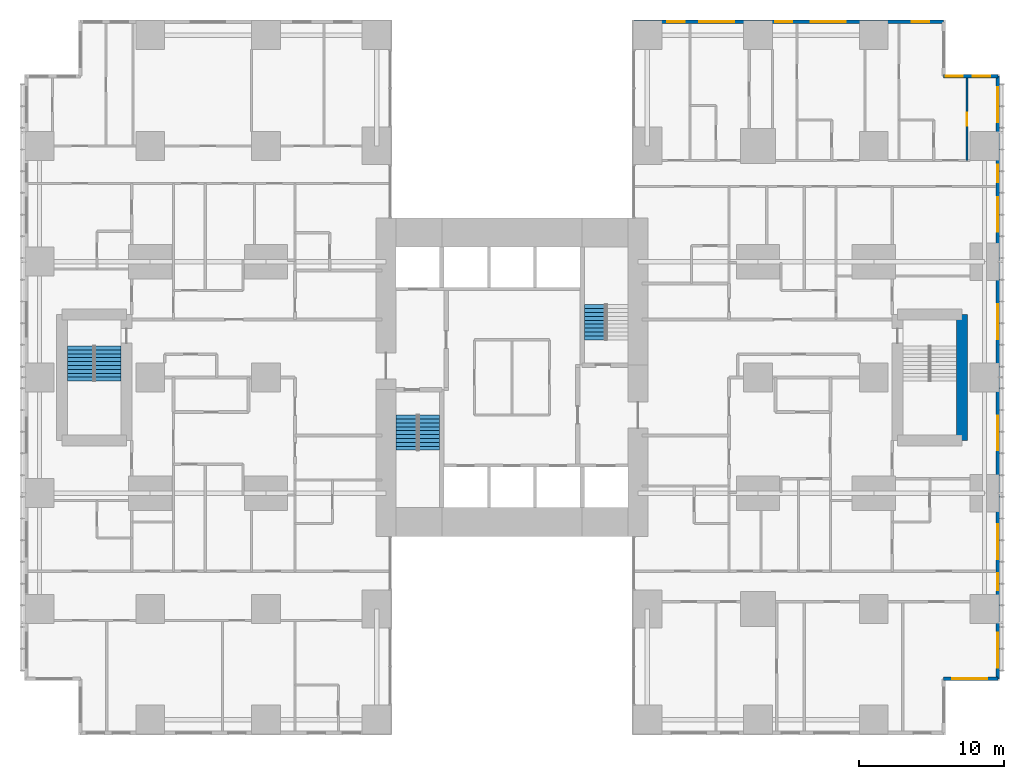
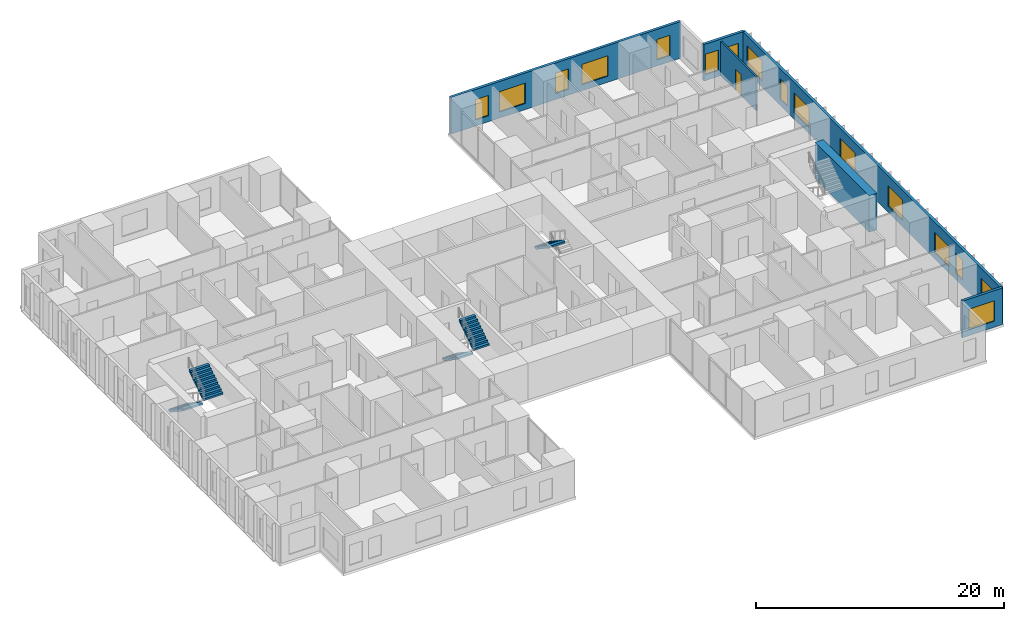
# One storey, part 19 of 21: 16 windows, 6 walls, 5 stair flights, 1 door, 17 openings, 3 elements without a shape of their own.
"""IFC4 building model written with IfcOpenShell, lengths in metres."""

from ifc_helpers import new_model, si_unit, direction, frame, frame_2d, origin, place, context, subcontext, project, spatial, polyline, rectangle, outline, extrude, material, layer, layer_set, type_object, element, fill, aggregate, save


model = new_model("IFC4")

# Units and contexts
model_context = context("Model", 3, precision=1e-05, world=origin(), true_north=direction((0.0, 1.0)))
body_context = subcontext(model_context, "Body", "Model", "MODEL_VIEW")
ifc_project = project(units=[si_unit("LENGTHUNIT", "METRE"), si_unit("AREAUNIT", "SQUARE_METRE"), si_unit("VOLUMEUNIT", "CUBIC_METRE"), si_unit("PLANEANGLEUNIT", "RADIAN"), si_unit("MASSUNIT", "GRAM", prefix="KILO")], contexts=[model_context])

# Site, building, storey
site_placement = place(None, origin())
site = spatial("IfcSite", under=ifc_project, at=site_placement, CompositionType="ELEMENT")
building_placement = place(site_placement, origin())
building = spatial("IfcBuilding", under=site, at=building_placement, Name="Cleftline Residences", CompositionType="ELEMENT")
storey_placement = place(building_placement, frame((0.0, 0.0, 65.60009765625)))
storey = spatial("IfcBuildingStorey", under=building, at=storey_placement, Name="L16", CompositionType="ELEMENT", Elevation=65.60009765625)

# Wall, opening, window
ifc_material_1 = material(Name="Rendered reinforced concrete blockwork", Category="masonry")
ifc_layer_1 = layer(ifc_material_1, 0.25)
ifc_layer_set_1 = layer_set([ifc_layer_1], Name="EXTERNAL WALL 250")
wall_type_1 = type_object("IfcWallType", Name="EXTERNAL WALL 250", PredefinedType="SOLIDWALL", material=ifc_layer_set_1)
wall_1_placement = place(storey_placement, frame((62.824951171875, 3.175048828125, 0.0), z_axis=(0.0, 0.0, 1.0), x_axis=(1.0, 0.0, 0.0)))
wall_1 = element("IfcWall", 1, at=wall_1_placement, inside=storey, type_object=wall_type_1, Name="External wall", PredefinedType="SOLIDWALL", context=body_context, shape_type="SweptSolid", body=[
    extrude(rectangle(XDim=3.75, YDim=0.25, at=frame_2d((1.875, 0.0))), origin(), (0.0, 0.0, 1.0), 3.599853515625),
])
opening_1_placement = place(wall_1_placement, frame((0.612548828125, 0.0, 0.60009765625)))
opening_1 = element("IfcOpeningElement", 2, at=opening_1_placement, cuts=wall_1, Name="Opening W6", PredefinedType="OPENING", context=body_context, shape_type="SweptSolid", body=[
    extrude(rectangle(XDim=2.39990234375, YDim=2.0, at=frame_2d((1.199951171875, 1.0))), frame((0.0, 0.135009765625, 0.0), z_axis=(0.0, -1.0, 0.0), x_axis=(1.0, 0.0, 0.0)), (0.0, 0.0, 1.0), 0.27001953125),
])
ifc_material_2 = material(Name="Aluminium frame, clear double glazing", Category="aluminium")
window_type_1 = type_object("IfcWindowType", Name="WINDOW 2400X2000", PartitioningType="DOUBLE_PANEL_VERTICAL", PredefinedType="WINDOW", material=ifc_material_2)
window_1_placement = place(opening_1_placement, origin())
window_1 = element("IfcWindow", 3, at=window_1_placement, inside=storey, type_object=window_type_1, Name="Window", OverallHeight=2.0, OverallWidth=2.39990234375, PartitioningType="SINGLE_PANEL", PredefinedType="WINDOW", context=body_context, shape_type="SweptSolid", body=[
    extrude(rectangle(XDim=2.39990234375, YDim=2.0, at=frame_2d((1.199951171875, 1.0))), frame((0.0, 0.030029296875, 0.0), z_axis=(0.0, -1.0, 0.0), x_axis=(1.0, 0.0, 0.0)), (0.0, 0.0, 1.0), 0.06005859375),
])
fill(opening_1, window_1)

# Wall, openings, windows
wall_2_placement = place(storey_placement, frame((66.574951171875, 3.175048828125, 0.0), z_axis=(0.0, 0.0, 1.0), x_axis=(0.0, 1.0, 0.0)))
wall_2 = element("IfcWall", 4, at=wall_2_placement, inside=storey, type_object=wall_type_1, Name="External wall", PredefinedType="SOLIDWALL", context=body_context, shape_type="SweptSolid", body=[
    extrude(rectangle(XDim=41.64990234375, YDim=0.25, at=frame_2d((20.824951171875, 0.0))), origin(), (0.0, 0.0, 1.0), 3.599853515625),
])
opening_2_placement = place(wall_2_placement, frame((0.77490234375, 0.0, 0.60009765625)))
opening_2 = element("IfcOpeningElement", 5, at=opening_2_placement, cuts=wall_2, Name="Opening W6", PredefinedType="OPENING", context=body_context, shape_type="SweptSolid", body=[
    extrude(rectangle(XDim=2.39990234375, YDim=2.0, at=frame_2d((1.199951171875, 1.0))), frame((0.0, 0.135009765625, 0.0), z_axis=(0.0, -1.0, 0.0), x_axis=(1.0, 0.0, 0.0)), (0.0, 0.0, 1.0), 0.27001953125),
])
opening_3_placement = place(wall_2_placement, frame((6.10009765625, 0.0, 0.60009765625)))
opening_3 = element("IfcOpeningElement", 6, at=opening_3_placement, cuts=wall_2, Name="Opening W8", PredefinedType="OPENING", context=body_context, shape_type="SweptSolid", body=[
    extrude(rectangle(XDim=1.199951171875, YDim=2.0, at=frame_2d((0.60009765625, 1.0))), frame((0.0, 0.135009765625, 0.0), z_axis=(0.0, -1.0, 0.0), x_axis=(1.0, 0.0, 0.0)), (0.0, 0.0, 1.0), 0.27001953125),
])
opening_4_placement = place(wall_2_placement, frame((8.27490234375, 0.0, 0.60009765625)))
opening_4 = element("IfcOpeningElement", 7, at=opening_4_placement, cuts=wall_2, Name="Opening W6", PredefinedType="OPENING", context=body_context, shape_type="SweptSolid", body=[
    extrude(rectangle(XDim=2.39990234375, YDim=2.0, at=frame_2d((1.199951171875, 1.0))), frame((0.0, 0.135009765625, 0.0), z_axis=(0.0, -1.0, 0.0), x_axis=(1.0, 0.0, 0.0)), (0.0, 0.0, 1.0), 0.27001953125),
])
opening_5_placement = place(wall_2_placement, frame((15.77490234375, 0.0, 0.60009765625)))
opening_5 = element("IfcOpeningElement", 8, at=opening_5_placement, cuts=wall_2, Name="Opening W6", PredefinedType="OPENING", context=body_context, shape_type="SweptSolid", body=[
    extrude(rectangle(XDim=2.39990234375, YDim=2.0, at=frame_2d((1.199951171875, 1.0))), frame((0.0, 0.135009765625, 0.0), z_axis=(0.0, -1.0, 0.0), x_axis=(1.0, 0.0, 0.0)), (0.0, 0.0, 1.0), 0.27001953125),
])
opening_6_placement = place(wall_2_placement, frame((23.47509765625, 0.0, 0.60009765625)))
opening_6 = element("IfcOpeningElement", 9, at=opening_6_placement, cuts=wall_2, Name="Opening W6", PredefinedType="OPENING", context=body_context, shape_type="SweptSolid", body=[
    extrude(rectangle(XDim=2.39990234375, YDim=2.0, at=frame_2d((1.199951171875, 1.0))), frame((0.0, 0.135009765625, 0.0), z_axis=(0.0, -1.0, 0.0), x_axis=(1.0, 0.0, 0.0)), (0.0, 0.0, 1.0), 0.27001953125),
])
opening_7_placement = place(wall_2_placement, frame((30.875, 0.0, 0.60009765625)))
opening_7 = element("IfcOpeningElement", 10, at=opening_7_placement, cuts=wall_2, Name="Opening W6", PredefinedType="OPENING", context=body_context, shape_type="SweptSolid", body=[
    extrude(rectangle(XDim=2.39990234375, YDim=2.0, at=frame_2d((1.199951171875, 1.0))), frame((0.0, 0.135009765625, 0.0), z_axis=(0.0, -1.0, 0.0), x_axis=(1.0, 0.0, 0.0)), (0.0, 0.0, 1.0), 0.27001953125),
])
opening_8_placement = place(wall_2_placement, frame((34.324951171875, 0.0, 0.60009765625)))
opening_8 = element("IfcOpeningElement", 11, at=opening_8_placement, cuts=wall_2, Name="Opening W8", PredefinedType="OPENING", context=body_context, shape_type="SweptSolid", body=[
    extrude(rectangle(XDim=1.199951171875, YDim=2.0, at=frame_2d((0.60009765625, 1.0))), frame((0.0, 0.135009765625, 0.0), z_axis=(0.0, -1.0, 0.0), x_axis=(1.0, 0.0, 0.0)), (0.0, 0.0, 1.0), 0.27001953125),
])
opening_9_placement = place(wall_2_placement, frame((38.47509765625, 0.0, 0.60009765625)))
opening_9 = element("IfcOpeningElement", 12, at=opening_9_placement, cuts=wall_2, Name="Opening W6", PredefinedType="OPENING", context=body_context, shape_type="SweptSolid", body=[
    extrude(rectangle(XDim=2.39990234375, YDim=2.0, at=frame_2d((1.199951171875, 1.0))), frame((0.0, 0.135009765625, 0.0), z_axis=(0.0, -1.0, 0.0), x_axis=(1.0, 0.0, 0.0)), (0.0, 0.0, 1.0), 0.27001953125),
])
ifc_material_3 = material(Name="Aluminium frame, clear double glazing", Category="aluminium")
window_type_2 = type_object("IfcWindowType", Name="WINDOW 1200X2000", PartitioningType="DOUBLE_PANEL_VERTICAL", PredefinedType="WINDOW", material=ifc_material_3)
window_2_placement = place(opening_3_placement, origin())
window_2 = element("IfcWindow", 13, at=window_2_placement, inside=storey, type_object=window_type_2, Name="Window", OverallHeight=2.0, OverallWidth=1.199951171875, PartitioningType="SINGLE_PANEL", PredefinedType="WINDOW", context=body_context, shape_type="SweptSolid", body=[
    extrude(rectangle(XDim=1.199951171875, YDim=2.0, at=frame_2d((0.60009765625, 1.0))), frame((0.0, 0.030029296875, 0.0), z_axis=(0.0, -1.0, 0.0), x_axis=(1.0, 0.0, 0.0)), (0.0, 0.0, 1.0), 0.06005859375),
])
fill(opening_3, window_2)
window_3_placement = place(opening_8_placement, origin())
window_3 = element("IfcWindow", 14, at=window_3_placement, inside=storey, type_object=window_type_2, Name="Window", OverallHeight=2.0, OverallWidth=1.199951171875, PartitioningType="SINGLE_PANEL", PredefinedType="WINDOW", context=body_context, shape_type="SweptSolid", body=[
    extrude(rectangle(XDim=1.199951171875, YDim=2.0, at=frame_2d((0.60009765625, 1.0))), frame((0.0, 0.030029296875, 0.0), z_axis=(0.0, -1.0, 0.0), x_axis=(1.0, 0.0, 0.0)), (0.0, 0.0, 1.0), 0.06005859375),
])
fill(opening_8, window_3)
window_4_placement = place(opening_2_placement, origin())
window_4 = element("IfcWindow", 15, at=window_4_placement, inside=storey, type_object=window_type_1, Name="Window", OverallHeight=2.0, OverallWidth=2.39990234375, PartitioningType="SINGLE_PANEL", PredefinedType="WINDOW", context=body_context, shape_type="SweptSolid", body=[
    extrude(rectangle(XDim=2.39990234375, YDim=2.0, at=frame_2d((1.199951171875, 1.0))), frame((0.0, 0.030029296875, 0.0), z_axis=(0.0, -1.0, 0.0), x_axis=(1.0, 0.0, 0.0)), (0.0, 0.0, 1.0), 0.06005859375),
])
fill(opening_2, window_4)
window_5_placement = place(opening_4_placement, origin())
window_5 = element("IfcWindow", 16, at=window_5_placement, inside=storey, type_object=window_type_1, Name="Window", OverallHeight=2.0, OverallWidth=2.39990234375, PartitioningType="SINGLE_PANEL", PredefinedType="WINDOW", context=body_context, shape_type="SweptSolid", body=[
    extrude(rectangle(XDim=2.39990234375, YDim=2.0, at=frame_2d((1.199951171875, 1.0))), frame((0.0, 0.030029296875, 0.0), z_axis=(0.0, -1.0, 0.0), x_axis=(1.0, 0.0, 0.0)), (0.0, 0.0, 1.0), 0.06005859375),
])
fill(opening_4, window_5)
window_6_placement = place(opening_5_placement, origin())
window_6 = element("IfcWindow", 17, at=window_6_placement, inside=storey, type_object=window_type_1, Name="Window", OverallHeight=2.0, OverallWidth=2.39990234375, PartitioningType="SINGLE_PANEL", PredefinedType="WINDOW", context=body_context, shape_type="SweptSolid", body=[
    extrude(rectangle(XDim=2.39990234375, YDim=2.0, at=frame_2d((1.199951171875, 1.0))), frame((0.0, 0.030029296875, 0.0), z_axis=(0.0, -1.0, 0.0), x_axis=(1.0, 0.0, 0.0)), (0.0, 0.0, 1.0), 0.06005859375),
])
fill(opening_5, window_6)
window_7_placement = place(opening_6_placement, origin())
window_7 = element("IfcWindow", 18, at=window_7_placement, inside=storey, type_object=window_type_1, Name="Window", OverallHeight=2.0, OverallWidth=2.39990234375, PartitioningType="SINGLE_PANEL", PredefinedType="WINDOW", context=body_context, shape_type="SweptSolid", body=[
    extrude(rectangle(XDim=2.39990234375, YDim=2.0, at=frame_2d((1.199951171875, 1.0))), frame((0.0, 0.030029296875, 0.0), z_axis=(0.0, -1.0, 0.0), x_axis=(1.0, 0.0, 0.0)), (0.0, 0.0, 1.0), 0.06005859375),
])
fill(opening_6, window_7)
window_8_placement = place(opening_7_placement, origin())
window_8 = element("IfcWindow", 19, at=window_8_placement, inside=storey, type_object=window_type_1, Name="Window", OverallHeight=2.0, OverallWidth=2.39990234375, PartitioningType="SINGLE_PANEL", PredefinedType="WINDOW", context=body_context, shape_type="SweptSolid", body=[
    extrude(rectangle(XDim=2.39990234375, YDim=2.0, at=frame_2d((1.199951171875, 1.0))), frame((0.0, 0.030029296875, 0.0), z_axis=(0.0, -1.0, 0.0), x_axis=(1.0, 0.0, 0.0)), (0.0, 0.0, 1.0), 0.06005859375),
])
fill(opening_7, window_8)
window_9_placement = place(opening_9_placement, origin())
window_9 = element("IfcWindow", 20, at=window_9_placement, inside=storey, type_object=window_type_1, Name="Window", OverallHeight=2.0, OverallWidth=2.39990234375, PartitioningType="SINGLE_PANEL", PredefinedType="WINDOW", context=body_context, shape_type="SweptSolid", body=[
    extrude(rectangle(XDim=2.39990234375, YDim=2.0, at=frame_2d((1.199951171875, 1.0))), frame((0.0, 0.030029296875, 0.0), z_axis=(0.0, -1.0, 0.0), x_axis=(1.0, 0.0, 0.0)), (0.0, 0.0, 1.0), 0.06005859375),
])
fill(opening_9, window_9)

wall_3_placement = place(storey_placement, frame((66.574951171875, 44.824951171875, 0.0), z_axis=(0.0, 0.0, 1.0), x_axis=(-1.0, 0.0, 0.0)))
wall_3 = element("IfcWall", 21, at=wall_3_placement, inside=storey, type_object=wall_type_1, Name="External wall", PredefinedType="SOLIDWALL", context=body_context, shape_type="SweptSolid", body=[
    extrude(rectangle(XDim=3.75, YDim=0.25, at=frame_2d((1.875, 0.0))), origin(), (0.0, 0.0, 1.0), 3.599853515625),
])
opening_10_placement = place(wall_3_placement, frame((0.52490234375, 0.0, 0.60009765625)))
opening_10 = element("IfcOpeningElement", 22, at=opening_10_placement, cuts=wall_3, Name="Opening W8", PredefinedType="OPENING", context=body_context, shape_type="SweptSolid", body=[
    extrude(rectangle(XDim=1.199951171875, YDim=2.0, at=frame_2d((0.60009765625, 1.0))), frame((0.0, 0.135009765625, 0.0), z_axis=(0.0, -1.0, 0.0), x_axis=(1.0, 0.0, 0.0)), (0.0, 0.0, 1.0), 0.27001953125),
])
opening_11_placement = place(wall_3_placement, frame((2.41259765625, 0.0, 0.60009765625)))
opening_11 = element("IfcOpeningElement", 23, at=opening_11_placement, cuts=wall_3, Name="Opening W8", PredefinedType="OPENING", context=body_context, shape_type="SweptSolid", body=[
    extrude(rectangle(XDim=1.199951171875, YDim=2.0, at=frame_2d((0.60009765625, 1.0))), frame((0.0, 0.135009765625, 0.0), z_axis=(0.0, -1.0, 0.0), x_axis=(1.0, 0.0, 0.0)), (0.0, 0.0, 1.0), 0.27001953125),
])
window_10_placement = place(opening_10_placement, origin())
window_10 = element("IfcWindow", 24, at=window_10_placement, inside=storey, type_object=window_type_2, Name="Window", OverallHeight=2.0, OverallWidth=1.199951171875, PartitioningType="SINGLE_PANEL", PredefinedType="WINDOW", context=body_context, shape_type="SweptSolid", body=[
    extrude(rectangle(XDim=1.199951171875, YDim=2.0, at=frame_2d((0.60009765625, 1.0))), frame((0.0, 0.030029296875, 0.0), z_axis=(0.0, -1.0, 0.0), x_axis=(1.0, 0.0, 0.0)), (0.0, 0.0, 1.0), 0.06005859375),
])
fill(opening_10, window_10)
window_11_placement = place(opening_11_placement, origin())
window_11 = element("IfcWindow", 25, at=window_11_placement, inside=storey, type_object=window_type_2, Name="Window", OverallHeight=2.0, OverallWidth=1.199951171875, PartitioningType="SINGLE_PANEL", PredefinedType="WINDOW", context=body_context, shape_type="SweptSolid", body=[
    extrude(rectangle(XDim=1.199951171875, YDim=2.0, at=frame_2d((0.60009765625, 1.0))), frame((0.0, 0.030029296875, 0.0), z_axis=(0.0, -1.0, 0.0), x_axis=(1.0, 0.0, 0.0)), (0.0, 0.0, 1.0), 0.06005859375),
])
fill(opening_11, window_11)

wall_4_placement = place(storey_placement, frame((62.824951171875, 48.574951171875, 0.0), z_axis=(0.0, 0.0, 1.0), x_axis=(-1.0, 0.0, 0.0)))
wall_4 = element("IfcWall", 26, at=wall_4_placement, inside=storey, type_object=wall_type_1, Name="External wall", PredefinedType="SOLIDWALL", context=body_context, shape_type="SweptSolid", body=[
    extrude(rectangle(XDim=21.39990234375, YDim=0.25, at=frame_2d((10.699951171875, 0.0))), origin(), (0.0, 0.0, 1.0), 3.599853515625),
])
opening_12_placement = place(wall_4_placement, frame((1.0, 0.0, 0.60009765625)))
opening_12 = element("IfcOpeningElement", 27, at=opening_12_placement, cuts=wall_4, Name="Opening W8", PredefinedType="OPENING", context=body_context, shape_type="SweptSolid", body=[
    extrude(rectangle(XDim=1.199951171875, YDim=2.0, at=frame_2d((0.60009765625, 1.0))), frame((0.0, 0.135009765625, 0.0), z_axis=(0.0, -1.0, 0.0), x_axis=(1.0, 0.0, 0.0)), (0.0, 0.0, 1.0), 0.27001953125),
])
opening_13_placement = place(wall_4_placement, frame((6.77490234375, 0.0, 0.60009765625)))
opening_13 = element("IfcOpeningElement", 28, at=opening_13_placement, cuts=wall_4, Name="Opening W6", PredefinedType="OPENING", context=body_context, shape_type="SweptSolid", body=[
    extrude(rectangle(XDim=2.39990234375, YDim=2.0, at=frame_2d((1.199951171875, 1.0))), frame((0.0, 0.135009765625, 0.0), z_axis=(0.0, -1.0, 0.0), x_axis=(1.0, 0.0, 0.0)), (0.0, 0.0, 1.0), 0.27001953125),
])
opening_14_placement = place(wall_4_placement, frame((10.449951171875, 0.0, 0.60009765625)))
opening_14 = element("IfcOpeningElement", 29, at=opening_14_placement, cuts=wall_4, Name="Opening W8", PredefinedType="OPENING", context=body_context, shape_type="SweptSolid", body=[
    extrude(rectangle(XDim=1.199951171875, YDim=2.0, at=frame_2d((0.60009765625, 1.0))), frame((0.0, 0.135009765625, 0.0), z_axis=(0.0, -1.0, 0.0), x_axis=(1.0, 0.0, 0.0)), (0.0, 0.0, 1.0), 0.27001953125),
])
opening_15_placement = place(wall_4_placement, frame((14.47509765625, 0.0, 0.60009765625)))
opening_15 = element("IfcOpeningElement", 30, at=opening_15_placement, cuts=wall_4, Name="Opening W6", PredefinedType="OPENING", context=body_context, shape_type="SweptSolid", body=[
    extrude(rectangle(XDim=2.39990234375, YDim=2.0, at=frame_2d((1.199951171875, 1.0))), frame((0.0, 0.135009765625, 0.0), z_axis=(0.0, -1.0, 0.0), x_axis=(1.0, 0.0, 0.0)), (0.0, 0.0, 1.0), 0.27001953125),
])
opening_16_placement = place(wall_4_placement, frame((17.89990234375, 0.0, 0.60009765625)))
opening_16 = element("IfcOpeningElement", 31, at=opening_16_placement, cuts=wall_4, Name="Opening W8", PredefinedType="OPENING", context=body_context, shape_type="SweptSolid", body=[
    extrude(rectangle(XDim=1.199951171875, YDim=2.0, at=frame_2d((0.60009765625, 1.0))), frame((0.0, 0.135009765625, 0.0), z_axis=(0.0, -1.0, 0.0), x_axis=(1.0, 0.0, 0.0)), (0.0, 0.0, 1.0), 0.27001953125),
])
window_12_placement = place(opening_12_placement, origin())
window_12 = element("IfcWindow", 32, at=window_12_placement, inside=storey, type_object=window_type_2, Name="Window", OverallHeight=2.0, OverallWidth=1.199951171875, PartitioningType="SINGLE_PANEL", PredefinedType="WINDOW", context=body_context, shape_type="SweptSolid", body=[
    extrude(rectangle(XDim=1.199951171875, YDim=2.0, at=frame_2d((0.60009765625, 1.0))), frame((0.0, 0.030029296875, 0.0), z_axis=(0.0, -1.0, 0.0), x_axis=(1.0, 0.0, 0.0)), (0.0, 0.0, 1.0), 0.06005859375),
])
fill(opening_12, window_12)
window_13_placement = place(opening_14_placement, origin())
window_13 = element("IfcWindow", 33, at=window_13_placement, inside=storey, type_object=window_type_2, Name="Window", OverallHeight=2.0, OverallWidth=1.199951171875, PartitioningType="SINGLE_PANEL", PredefinedType="WINDOW", context=body_context, shape_type="SweptSolid", body=[
    extrude(rectangle(XDim=1.199951171875, YDim=2.0, at=frame_2d((0.60009765625, 1.0))), frame((0.0, 0.030029296875, 0.0), z_axis=(0.0, -1.0, 0.0), x_axis=(1.0, 0.0, 0.0)), (0.0, 0.0, 1.0), 0.06005859375),
])
fill(opening_14, window_13)
window_14_placement = place(opening_16_placement, origin())
window_14 = element("IfcWindow", 34, at=window_14_placement, inside=storey, type_object=window_type_2, Name="Window", OverallHeight=2.0, OverallWidth=1.199951171875, PartitioningType="SINGLE_PANEL", PredefinedType="WINDOW", context=body_context, shape_type="SweptSolid", body=[
    extrude(rectangle(XDim=1.199951171875, YDim=2.0, at=frame_2d((0.60009765625, 1.0))), frame((0.0, 0.030029296875, 0.0), z_axis=(0.0, -1.0, 0.0), x_axis=(1.0, 0.0, 0.0)), (0.0, 0.0, 1.0), 0.06005859375),
])
fill(opening_16, window_14)
window_15_placement = place(opening_13_placement, origin())
window_15 = element("IfcWindow", 35, at=window_15_placement, inside=storey, type_object=window_type_1, Name="Window", OverallHeight=2.0, OverallWidth=2.39990234375, PartitioningType="SINGLE_PANEL", PredefinedType="WINDOW", context=body_context, shape_type="SweptSolid", body=[
    extrude(rectangle(XDim=2.39990234375, YDim=2.0, at=frame_2d((1.199951171875, 1.0))), frame((0.0, 0.030029296875, 0.0), z_axis=(0.0, -1.0, 0.0), x_axis=(1.0, 0.0, 0.0)), (0.0, 0.0, 1.0), 0.06005859375),
])
fill(opening_13, window_15)
window_16_placement = place(opening_15_placement, origin())
window_16 = element("IfcWindow", 36, at=window_16_placement, inside=storey, type_object=window_type_1, Name="Window", OverallHeight=2.0, OverallWidth=2.39990234375, PartitioningType="SINGLE_PANEL", PredefinedType="WINDOW", context=body_context, shape_type="SweptSolid", body=[
    extrude(rectangle(XDim=2.39990234375, YDim=2.0, at=frame_2d((1.199951171875, 1.0))), frame((0.0, 0.030029296875, 0.0), z_axis=(0.0, -1.0, 0.0), x_axis=(1.0, 0.0, 0.0)), (0.0, 0.0, 1.0), 0.06005859375),
])
fill(opening_15, window_16)

# Wall, opening, door
ifc_material_4 = material(Name="Gypsum board on steel studs", Category="steel")
ifc_layer_2 = layer(ifc_material_4, 0.14990234375)
ifc_layer_set_2 = layer_set([ifc_layer_2], Name="PARTITION 150")
wall_type_2 = type_object("IfcWallType", Name="PARTITION 150", PredefinedType="PARTITIONING", material=ifc_layer_set_2)
wall_5_placement = place(storey_placement, frame((64.449951171875, 39.0, 0.0), z_axis=(0.0, 0.0, 1.0), x_axis=(0.0, 1.0, 0.0)))
wall_5 = element("IfcWall", 37, at=wall_5_placement, inside=storey, type_object=wall_type_2, Name="Partition", PredefinedType="PARTITIONING", context=body_context, shape_type="SweptSolid", body=[
    extrude(rectangle(XDim=5.699951171875, YDim=0.14990234375, at=frame_2d((2.85009765625, 0.0))), origin(), (0.0, 0.0, 1.0), 3.349853515625),
])
opening_17_placement = place(wall_5_placement, frame((2.39990234375, 0.0, 0.0)))
opening_17 = element("IfcOpeningElement", 38, at=opening_17_placement, cuts=wall_5, Name="Opening D1", PredefinedType="OPENING", context=body_context, shape_type="SweptSolid", body=[
    extrude(rectangle(XDim=0.89990234375, YDim=2.10009765625, at=frame_2d((0.449951171875, 1.050048828125))), frame((0.0, 0.0849609375, 0.0), z_axis=(0.0, -1.0, 0.0), x_axis=(1.0, 0.0, 0.0)), (0.0, 0.0, 1.0), 0.169921875),
])
ifc_material_5 = material(Name="Timber veneer on solid core", Category="wood")
door_type = type_object("IfcDoorType", Name="DOOR 900X2100", OperationType="SINGLE_SWING_LEFT", PredefinedType="DOOR", material=ifc_material_5)
door_placement = place(opening_17_placement, origin())
door = element("IfcDoor", 39, at=door_placement, inside=storey, type_object=door_type, Name="Door to walk-in wardrobe", OperationType="SINGLE_SWING_LEFT", OverallHeight=2.10009765625, OverallWidth=0.89990234375, PredefinedType="DOOR", context=body_context, shape_type="SweptSolid", body=[
    extrude(rectangle(XDim=0.89990234375, YDim=2.10009765625, at=frame_2d((0.449951171875, 1.050048828125))), frame((0.0, 0.02490234375, 0.0), z_axis=(0.0, -1.0, 0.0), x_axis=(1.0, 0.0, 0.0)), (0.0, 0.0, 1.0), 0.050048828125),
])
fill(opening_17, door)

# Wall
ifc_material_6 = material(Name="Concrete B70", Category="concrete")
ifc_layer_3 = layer(ifc_material_6, 0.75)
ifc_layer_set_3 = layer_set([ifc_layer_3], Name="SHEAR WALL 750")
wall_type_3 = type_object("IfcWallType", Name="SHEAR WALL 750", PredefinedType="SHEAR", material=ifc_layer_set_3)
wall_6_placement = place(storey_placement, frame((64.10009765625, 19.64990234375, 0.0), z_axis=(0.0, 0.0, 1.0), x_axis=(0.0, 1.0, 0.0)))
element("IfcWall", 40, at=wall_6_placement, inside=storey, type_object=wall_type_3, Name="Wing shear wall", PredefinedType="SHEAR", context=body_context, shape_type="SweptSolid", body=[
    extrude(rectangle(XDim=8.7001953125, YDim=0.75, at=frame_2d((4.35009765625, 0.0))), origin(), (0.0, 0.0, 1.0), 3.599853515625),
])

# Stair, stair flights
ifc_material_7 = material(Name="Concrete B45, stone treads", Category="masonry")
stair_type_1 = type_object("IfcStairType", Name="STAIR A 1450 WIDE 180 RISER", PredefinedType="HALF_TURN_STAIR", material=ifc_material_7)
stair_1_placement = place(storey_placement, origin())
stair_1 = element("IfcStair", 41, at=stair_1_placement, inside=storey, type_object=stair_type_1, Name="Stair A L16", PredefinedType="HALF_TURN_STAIR")
ifc_material_8 = material(Name="Concrete B45", Category="concrete")
stair_flight_type_1 = type_object("IfcStairFlightType", Name="STAIR A FLIGHT 1450X180", PredefinedType="STRAIGHT", material=ifc_material_8)
stair_flight_1_placement = place(storey_placement, frame((25.72509765625, 21.39990234375, 0.0), z_axis=(0.0, 0.0, 1.0), x_axis=(0.0, -1.0, 0.0)))
stair_flight_1 = element("IfcStairFlight", 42, at=stair_flight_1_placement, type_object=stair_flight_type_1, Name="ST-A flight 1", NumberOfRisers=10, NumberOfTreads=9, PredefinedType="STRAIGHT", RiserHeight=0.18, TreadLength=0.27, context=body_context, shape_type="SweptSolid", body=[
    extrude(outline(polyline([(0.0, 0.0), (0.0, 0.013916015625), (0.0, 0.027587890625), (0.0, 0.04150390625), (0.0, 0.055419921875), (0.0, 0.0693359375), (0.0, 0.0830078125), (0.0, 0.096923828125), (0.0, 0.11083984375), (0.0, 0.12451171875), (0.0, 0.138427734375), (0.0, 0.15234375), (0.0, 0.166259765625), (0.0, 0.179931640625), (0.27001953125, 0.179931640625), (0.27001953125, 0.360107421875), (0.5400390625, 0.360107421875), (0.5400390625, 0.5400390625), (0.81005859375, 0.5400390625), (0.81005859375, 0.719970703125), (1.080078125, 0.719970703125), (1.080078125, 0.89990234375), (1.35009765625, 0.89990234375), (1.35009765625, 1.080078125), (1.6201171875, 1.080078125), (1.6201171875, 1.260009765625), (1.889892578125, 1.260009765625), (1.889892578125, 1.43994140625), (2.159912109375, 1.43994140625), (2.159912109375, 1.6201171875), (2.429931640625, 1.6201171875), (2.429931640625, 1.800048828125), (2.429931640625, 1.772216796875), (2.429931640625, 1.74462890625), (2.429931640625, 1.716796875), (2.429931640625, 1.689208984375), (2.429931640625, 1.661376953125), (2.429931640625, 1.6337890625), (2.429931640625, 1.60595703125), (2.429931640625, 1.578369140625), (2.429931640625, 1.550537109375), (2.429931640625, 1.52294921875), (2.429931640625, 1.495361328125), (2.429931640625, 1.467529296875), (2.429931640625, 1.43994140625), (0.270263671875, 0.0), (0.0, 0.0)])), frame((0.0, 0.72509765625, 0.0), z_axis=(0.0, -1.0, 0.0), x_axis=(1.0, 0.0, 0.0)), (0.0, 0.0, 1.0), 1.449951171875),
])
stair_flight_2_placement = place(storey_placement, frame((27.27490234375, 18.969970703125, 1.7998046875), z_axis=(0.0, 0.0, 1.0), x_axis=(0.0, 1.0, 0.0)))
stair_flight_2 = element("IfcStairFlight", 43, at=stair_flight_2_placement, type_object=stair_flight_type_1, Name="ST-A flight 2", NumberOfRisers=10, NumberOfTreads=9, PredefinedType="STRAIGHT", RiserHeight=0.18, TreadLength=0.27, context=body_context, shape_type="SweptSolid", body=[
    extrude(outline(polyline([(0.0, 0.0), (0.0, 0.013916015625), (0.0, 0.027587890625), (0.0, 0.04150390625), (0.0, 0.055419921875), (0.0, 0.0693359375), (0.0, 0.0830078125), (0.0, 0.096923828125), (0.0, 0.11083984375), (0.0, 0.12451171875), (0.0, 0.138427734375), (0.0, 0.15234375), (0.0, 0.166259765625), (0.0, 0.179931640625), (0.27001953125, 0.179931640625), (0.27001953125, 0.360107421875), (0.5400390625, 0.360107421875), (0.5400390625, 0.5400390625), (0.81005859375, 0.5400390625), (0.81005859375, 0.719970703125), (1.080078125, 0.719970703125), (1.080078125, 0.89990234375), (1.35009765625, 0.89990234375), (1.35009765625, 1.080078125), (1.6201171875, 1.080078125), (1.6201171875, 1.260009765625), (1.889892578125, 1.260009765625), (1.889892578125, 1.43994140625), (2.159912109375, 1.43994140625), (2.159912109375, 1.6201171875), (2.429931640625, 1.6201171875), (2.429931640625, 1.800048828125), (2.429931640625, 1.772216796875), (2.429931640625, 1.74462890625), (2.429931640625, 1.716796875), (2.429931640625, 1.689208984375), (2.429931640625, 1.661376953125), (2.429931640625, 1.6337890625), (2.429931640625, 1.60595703125), (2.429931640625, 1.578369140625), (2.429931640625, 1.550537109375), (2.429931640625, 1.52294921875), (2.429931640625, 1.495361328125), (2.429931640625, 1.467529296875), (2.429931640625, 1.43994140625), (0.270263671875, 0.0), (0.0, 0.0)])), frame((0.0, 0.72509765625, 0.0), z_axis=(0.0, -1.0, 0.0), x_axis=(1.0, 0.0, 0.0)), (0.0, 0.0, 1.0), 1.449951171875),
])
aggregate(stair_1, [stair_flight_1, stair_flight_2])

# Stair, stair flight
ifc_material_9 = material(Name="Concrete B45, stone treads", Category="masonry")
stair_type_2 = type_object("IfcStairType", Name="STAIR B 1450 WIDE 180 RISER", PredefinedType="HALF_TURN_STAIR", material=ifc_material_9)
stair_2_placement = place(storey_placement, origin())
stair_2 = element("IfcStair", 44, at=stair_2_placement, inside=storey, type_object=stair_type_2, Name="Stair B L16", PredefinedType="HALF_TURN_STAIR")
ifc_material_10 = material(Name="Concrete B45", Category="concrete")
stair_flight_type_2 = type_object("IfcStairFlightType", Name="STAIR B FLIGHT 1450X180", PredefinedType="STRAIGHT", material=ifc_material_10)
stair_flight_3_placement = place(storey_placement, frame((38.72509765625, 29.030029296875, 1.7998046875), z_axis=(0.0, 0.0, 1.0), x_axis=(0.0, -1.0, 0.0)))
stair_flight_3 = element("IfcStairFlight", 45, at=stair_flight_3_placement, type_object=stair_flight_type_2, Name="ST-B flight 2", NumberOfRisers=10, NumberOfTreads=9, PredefinedType="STRAIGHT", RiserHeight=0.18, TreadLength=0.27, context=body_context, shape_type="SweptSolid", body=[
    extrude(outline(polyline([(0.0, 0.0), (0.0, 0.013916015625), (0.0, 0.027587890625), (0.0, 0.04150390625), (0.0, 0.055419921875), (0.0, 0.0693359375), (0.0, 0.0830078125), (0.0, 0.096923828125), (0.0, 0.11083984375), (0.0, 0.12451171875), (0.0, 0.138427734375), (0.0, 0.15234375), (0.0, 0.166259765625), (0.0, 0.179931640625), (0.27001953125, 0.179931640625), (0.27001953125, 0.360107421875), (0.5400390625, 0.360107421875), (0.5400390625, 0.5400390625), (0.81005859375, 0.5400390625), (0.81005859375, 0.719970703125), (1.080078125, 0.719970703125), (1.080078125, 0.89990234375), (1.35009765625, 0.89990234375), (1.35009765625, 1.080078125), (1.6201171875, 1.080078125), (1.6201171875, 1.260009765625), (1.889892578125, 1.260009765625), (1.889892578125, 1.43994140625), (2.159912109375, 1.43994140625), (2.159912109375, 1.6201171875), (2.429931640625, 1.6201171875), (2.429931640625, 1.800048828125), (2.429931640625, 1.772216796875), (2.429931640625, 1.74462890625), (2.429931640625, 1.716796875), (2.429931640625, 1.689208984375), (2.429931640625, 1.661376953125), (2.429931640625, 1.6337890625), (2.429931640625, 1.60595703125), (2.429931640625, 1.578369140625), (2.429931640625, 1.550537109375), (2.429931640625, 1.52294921875), (2.429931640625, 1.495361328125), (2.429931640625, 1.467529296875), (2.429931640625, 1.43994140625), (0.270263671875, 0.0), (0.0, 0.0)])), frame((0.0, 0.72509765625, 0.0), z_axis=(0.0, -1.0, 0.0), x_axis=(1.0, 0.0, 0.0)), (0.0, 0.0, 1.0), 1.449951171875),
])
aggregate(stair_2, [stair_flight_3])

# Stair, stair flights
ifc_material_11 = material(Name="Concrete B45, stone treads", Category="masonry")
stair_type_3 = type_object("IfcStairType", Name="STAIR W 1800 WIDE 180 RISER", PredefinedType="HALF_TURN_STAIR", material=ifc_material_11)
stair_3_placement = place(storey_placement, origin())
stair_3 = element("IfcStair", 46, at=stair_3_placement, inside=storey, type_object=stair_type_3, Name="Stair W L16", PredefinedType="HALF_TURN_STAIR")
ifc_material_12 = material(Name="Concrete B45", Category="concrete")
stair_flight_type_3 = type_object("IfcStairFlightType", Name="STAIR W FLIGHT 1800X180", PredefinedType="STRAIGHT", material=ifc_material_12)
stair_flight_4_placement = place(storey_placement, frame((3.175048828125, 26.175048828125, 0.0), z_axis=(0.0, 0.0, 1.0), x_axis=(0.0, -1.0, 0.0)))
stair_flight_4 = element("IfcStairFlight", 47, at=stair_flight_4_placement, type_object=stair_flight_type_3, Name="ST-W flight 1", NumberOfRisers=10, NumberOfTreads=9, PredefinedType="STRAIGHT", RiserHeight=0.18, TreadLength=0.27, context=body_context, shape_type="SweptSolid", body=[
    extrude(outline(polyline([(0.0, 0.0), (0.0, 0.013916015625), (0.0, 0.027587890625), (0.0, 0.04150390625), (0.0, 0.055419921875), (0.0, 0.0693359375), (0.0, 0.0830078125), (0.0, 0.096923828125), (0.0, 0.11083984375), (0.0, 0.12451171875), (0.0, 0.138427734375), (0.0, 0.15234375), (0.0, 0.166259765625), (0.0, 0.179931640625), (0.27001953125, 0.179931640625), (0.27001953125, 0.360107421875), (0.5400390625, 0.360107421875), (0.5400390625, 0.5400390625), (0.81005859375, 0.5400390625), (0.81005859375, 0.719970703125), (1.080078125, 0.719970703125), (1.080078125, 0.89990234375), (1.35009765625, 0.89990234375), (1.35009765625, 1.080078125), (1.6201171875, 1.080078125), (1.6201171875, 1.260009765625), (1.889892578125, 1.260009765625), (1.889892578125, 1.43994140625), (2.159912109375, 1.43994140625), (2.159912109375, 1.6201171875), (2.429931640625, 1.6201171875), (2.429931640625, 1.800048828125), (2.429931640625, 1.772216796875), (2.429931640625, 1.74462890625), (2.429931640625, 1.716796875), (2.429931640625, 1.689208984375), (2.429931640625, 1.661376953125), (2.429931640625, 1.6337890625), (2.429931640625, 1.60595703125), (2.429931640625, 1.578369140625), (2.429931640625, 1.550537109375), (2.429931640625, 1.52294921875), (2.429931640625, 1.495361328125), (2.429931640625, 1.467529296875), (2.429931640625, 1.43994140625), (0.270263671875, 0.0), (0.0, 0.0)])), frame((0.0, 0.89990234375, 0.0), z_axis=(0.0, -1.0, 0.0), x_axis=(1.0, 0.0, 0.0)), (0.0, 0.0, 1.0), 1.800048828125),
])
stair_flight_5_placement = place(storey_placement, frame((5.074951171875, 23.7451171875, 1.7998046875), z_axis=(0.0, 0.0, 1.0), x_axis=(0.0, 1.0, 0.0)))
stair_flight_5 = element("IfcStairFlight", 48, at=stair_flight_5_placement, type_object=stair_flight_type_3, Name="ST-W flight 2", NumberOfRisers=10, NumberOfTreads=9, PredefinedType="STRAIGHT", RiserHeight=0.18, TreadLength=0.27, context=body_context, shape_type="SweptSolid", body=[
    extrude(outline(polyline([(0.0, 0.0), (0.0, 0.013916015625), (0.0, 0.027587890625), (0.0, 0.04150390625), (0.0, 0.055419921875), (0.0, 0.0693359375), (0.0, 0.0830078125), (0.0, 0.096923828125), (0.0, 0.11083984375), (0.0, 0.12451171875), (0.0, 0.138427734375), (0.0, 0.15234375), (0.0, 0.166259765625), (0.0, 0.179931640625), (0.27001953125, 0.179931640625), (0.27001953125, 0.360107421875), (0.5400390625, 0.360107421875), (0.5400390625, 0.5400390625), (0.81005859375, 0.5400390625), (0.81005859375, 0.719970703125), (1.080078125, 0.719970703125), (1.080078125, 0.89990234375), (1.35009765625, 0.89990234375), (1.35009765625, 1.080078125), (1.6201171875, 1.080078125), (1.6201171875, 1.260009765625), (1.889892578125, 1.260009765625), (1.889892578125, 1.43994140625), (2.159912109375, 1.43994140625), (2.159912109375, 1.6201171875), (2.429931640625, 1.6201171875), (2.429931640625, 1.800048828125), (2.429931640625, 1.772216796875), (2.429931640625, 1.74462890625), (2.429931640625, 1.716796875), (2.429931640625, 1.689208984375), (2.429931640625, 1.661376953125), (2.429931640625, 1.6337890625), (2.429931640625, 1.60595703125), (2.429931640625, 1.578369140625), (2.429931640625, 1.550537109375), (2.429931640625, 1.52294921875), (2.429931640625, 1.495361328125), (2.429931640625, 1.467529296875), (2.429931640625, 1.43994140625), (0.270263671875, 0.0), (0.0, 0.0)])), frame((0.0, 0.89990234375, 0.0), z_axis=(0.0, -1.0, 0.0), x_axis=(1.0, 0.0, 0.0)), (0.0, 0.0, 1.0), 1.800048828125),
])
aggregate(stair_3, [stair_flight_4, stair_flight_5])

save(model, "model.ifc")
